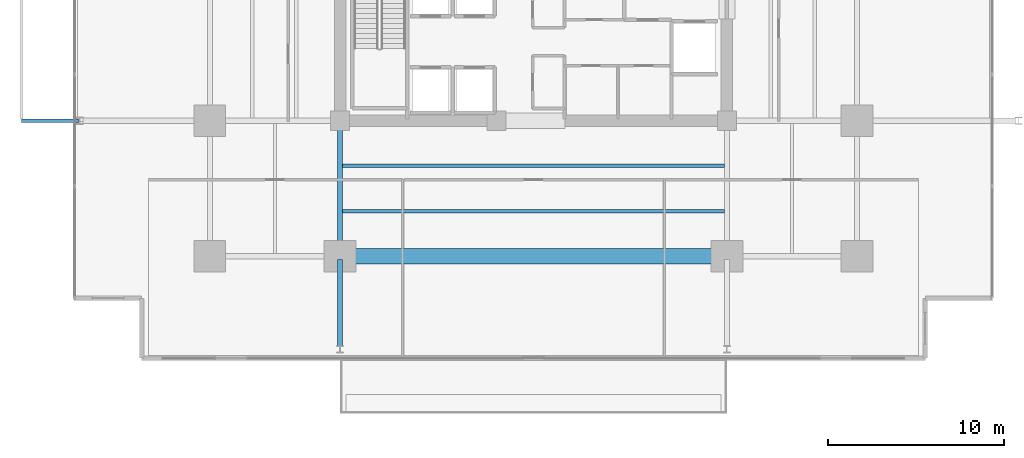
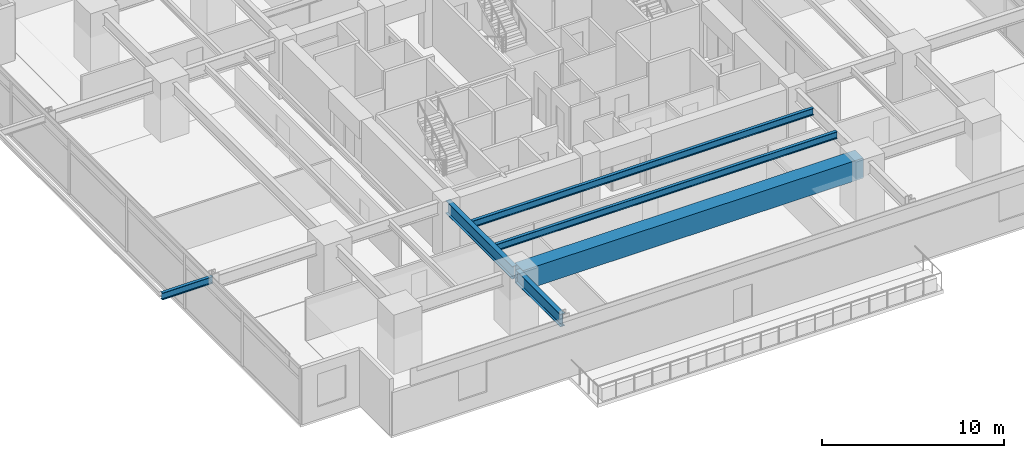
# One storey, part 3 of 22: 6 beams.
"""IFC4 building model written with IfcOpenShell, lengths in metres."""

from ifc_helpers import new_model, si_unit, direction, frame, origin, origin_2d, place, context, subcontext, project, spatial, rectangle, i_section, extrude, material, material_profile, profile_set, type_object, element, save


model = new_model("IFC4")

# Units and contexts
model_context = context("Model", 3, precision=1e-05, world=origin(), true_north=direction((0.0, 1.0)))
body_context = subcontext(model_context, "Body", "Model", "MODEL_VIEW")
ifc_project = project(units=[si_unit("LENGTHUNIT", "METRE"), si_unit("AREAUNIT", "SQUARE_METRE"), si_unit("VOLUMEUNIT", "CUBIC_METRE"), si_unit("PLANEANGLEUNIT", "RADIAN"), si_unit("MASSUNIT", "GRAM", prefix="KILO")], contexts=[model_context])

# Site, building, storey
site_placement = place(None, origin())
site = spatial("IfcSite", under=ifc_project, at=site_placement, CompositionType="ELEMENT")
building_placement = place(site_placement, origin())
building = spatial("IfcBuilding", under=site, at=building_placement, Name="Kovane Verandah Tower", CompositionType="ELEMENT")
storey_placement = place(building_placement, frame((0.0, 0.0, 71.60009765625)))
storey = spatial("IfcBuildingStorey", under=building, at=storey_placement, Name="L16", CompositionType="ELEMENT", Elevation=71.60009765625)

# Beams
ifc_material_1 = material(Name="Concrete C80/95", Category="concrete")
ifc_material_profile_1 = material_profile(ifc_material_1, rectangle(XDim=0.89990234375, YDim=1.35009765625, at=origin_2d()), Name="RCB900x1350")
ifc_profile_set_1 = profile_set([ifc_material_profile_1], Name="Concrete C80/95")
beam_type_1 = type_object("IfcBeamType", Name="BM-TR-900x1350", PredefinedType="BEAM", material=ifc_profile_set_1)
beam_1_placement = place(storey_placement, frame((29.179931640625, 10.800048828125, 3.0849609375), z_axis=(1.0, 0.0, 0.0), x_axis=(0.0, 1.0, 0.0)))
element("IfcBeam", 1, at=beam_1_placement, inside=storey, type_object=beam_type_1, Name="L16 Primary Tower Girder G-RS2", PredefinedType="BEAM", context=body_context, shape_type="SweptSolid", body=[
    extrude(rectangle(XDim=0.89990234375, YDim=1.35009765625, at=origin_2d()), origin(), (0.0, 0.0, 1.0), 21.64013671875),
])
ifc_material_2 = material(Name="Steel S355", Category="steel")
ifc_material_profile_2 = material_profile(ifc_material_2, i_section(OverallWidth=0.293701171875, OverallDepth=0.850830078125, WebThickness=0.01611328125, FlangeThickness=0.02685546875, FilletRadius=0.017822265625, at=origin_2d()), Name="UB838x292x226")
ifc_profile_set_2 = profile_set([ifc_material_profile_2], Name="Steel S355")
beam_type_2 = type_object("IfcBeamType", Name="BM-UB838x226", PredefinedType="BEAM", material=ifc_profile_set_2)
beam_2_placement = place(storey_placement, frame((29.0, 18.320068359375, 3.33447265625), z_axis=(0.0, -1.0, 0.0), x_axis=(1.0, 0.0, 0.0)))
element("IfcBeam", 2, at=beam_2_placement, inside=storey, type_object=beam_type_2, Name="L16 Primary Tower Girder G-S1", PredefinedType="BEAM", context=body_context, shape_type="SweptSolid", body=[
    extrude(i_section(OverallWidth=0.293701171875, OverallDepth=0.850830078125, WebThickness=0.01611328125, FlangeThickness=0.02685546875, FilletRadius=0.017822265625, at=origin_2d()), origin(), (0.0, 0.0, 1.0), 7.340087890625),
])
beam_3_placement = place(storey_placement, frame((29.0, 10.6201171875, 3.33447265625), z_axis=(0.0, -1.0, 0.0), x_axis=(1.0, 0.0, 0.0)))
element("IfcBeam", 3, at=beam_3_placement, inside=storey, type_object=beam_type_2, Name="L16 Primary Tower Girder G-VS1", PredefinedType="BEAM", context=body_context, shape_type="SweptSolid", body=[
    extrude(i_section(OverallWidth=0.293701171875, OverallDepth=0.850830078125, WebThickness=0.01611328125, FlangeThickness=0.02685546875, FilletRadius=0.017822265625, at=origin_2d()), origin(), (0.0, 0.0, 1.0), 4.940185546875),
])
ifc_material_profile_3 = material_profile(ifc_material_2, i_section(OverallWidth=0.19287109375, OverallDepth=0.46728515625, WebThickness=0.011474609375, FlangeThickness=0.01953125, FilletRadius=0.01025390625, at=origin_2d()), Name="UB457x191x98")
ifc_profile_set_3 = profile_set([ifc_material_profile_3], Name="Steel S355")
beam_type_3 = type_object("IfcBeamType", Name="JST-UB457x98", PredefinedType="JOIST", material=ifc_profile_set_3)
for number, where, z_axis, x_axis, name in (
    (4, (29.14501953125, 13.35009765625, 3.5263671875), (1.0, 0.0, 0.0), (0.0, 1.0, 0.0), "L16 Secondary Composite Joist J-S1"),
    (5, (29.14501953125, 15.949951171875, 3.5263671875), (1.0, 0.0, 0.0), (0.0, 1.0, 0.0), "L16 Secondary Composite Joist J-S2"),
):
    element("IfcBeam", number, at=place(storey_placement, frame(where, z_axis=z_axis, x_axis=x_axis)), inside=storey, type_object=beam_type_3, Name=name, PredefinedType="JOIST", context=body_context, shape_type="SweptSolid", body=[
        extrude(i_section(OverallWidth=0.19287109375, OverallDepth=0.46728515625, WebThickness=0.011474609375, FlangeThickness=0.01953125, FilletRadius=0.01025390625, at=origin_2d()), origin(), (0.0, 0.0, 1.0), 21.7099609375),
    ])
beam_4_placement = place(storey_placement, frame((14.1201171875, 18.5, 3.5263671875), z_axis=(-1.0, 0.0, 0.0), x_axis=(0.0, -1.0, 0.0)))
element("IfcBeam", 6, at=beam_4_placement, inside=storey, type_object=beam_type_3, Name="L16 West Planter Girder 1", PredefinedType="JOIST", context=body_context, shape_type="SweptSolid", body=[
    extrude(i_section(OverallWidth=0.19287109375, OverallDepth=0.46728515625, WebThickness=0.011474609375, FlangeThickness=0.01953125, FilletRadius=0.01025390625, at=origin_2d()), origin(), (0.0, 0.0, 1.0), 3.232421875),
])

save(model, "model.ifc")
